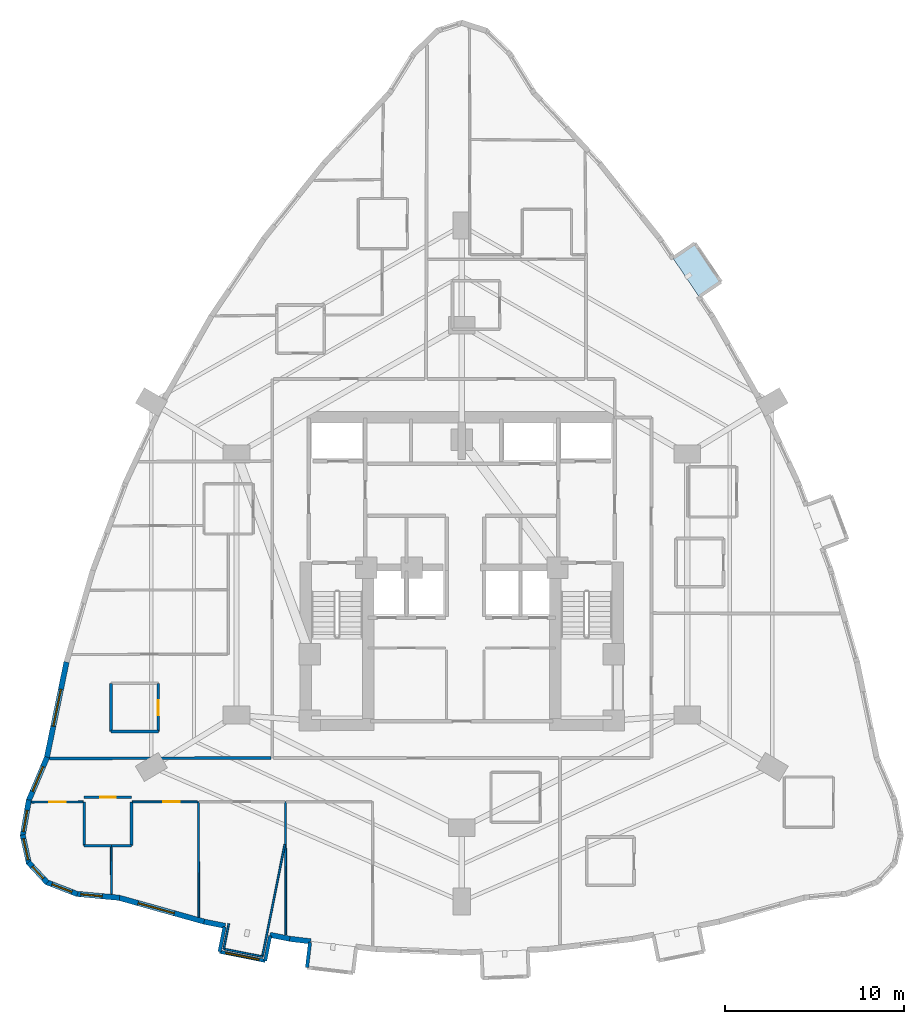
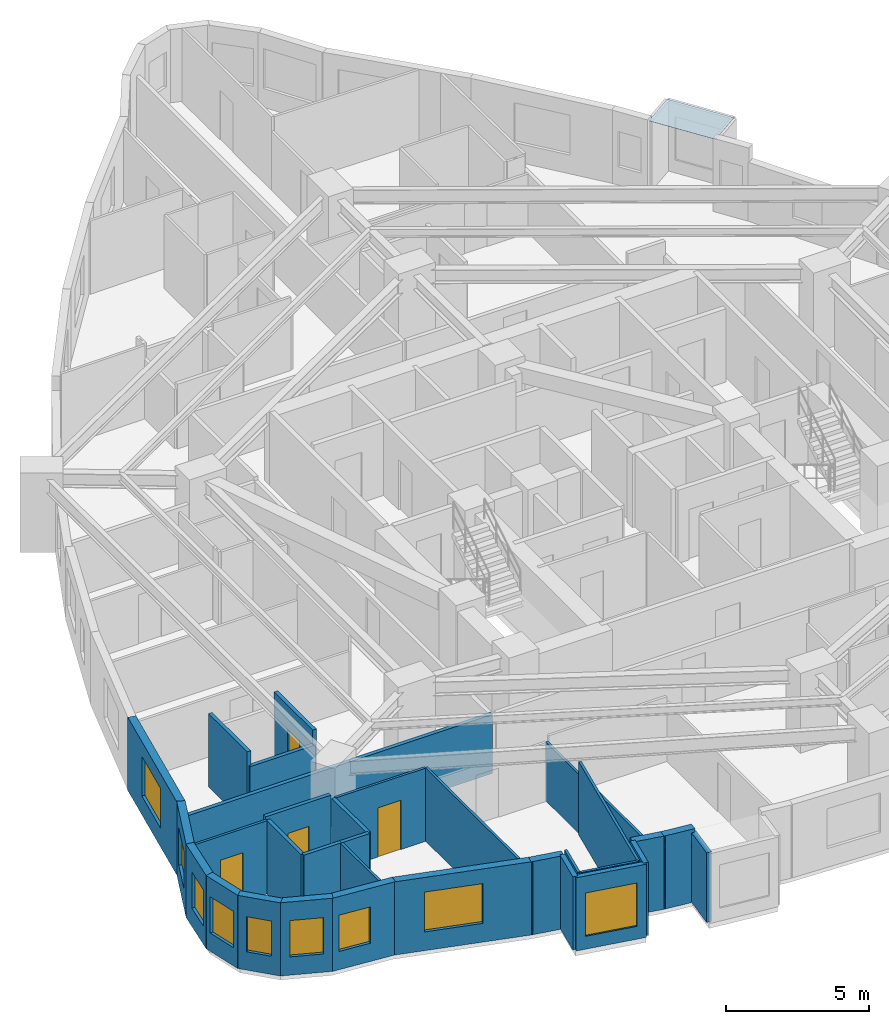
# One storey, part 5 of 12: 32 walls, 9 windows, 4 doors, 1 plate, 13 openings.
"""IFC4 building model written with IfcOpenShell, lengths in metres."""

from ifc_helpers import new_model, si_unit, direction, frame, frame_2d, origin, place, context, subcontext, project, spatial, polyline, rectangle, outline, extrude, material, layer, layer_set, type_object, element, fill, save


model = new_model("IFC4")

# Units and contexts
model_context = context("Model", 3, precision=1e-05, world=origin(), true_north=direction((0.0, 1.0)))
body_context = subcontext(model_context, "Body", "Model", "MODEL_VIEW")
ifc_project = project(units=[si_unit("LENGTHUNIT", "METRE"), si_unit("AREAUNIT", "SQUARE_METRE"), si_unit("VOLUMEUNIT", "CUBIC_METRE"), si_unit("PLANEANGLEUNIT", "RADIAN"), si_unit("MASSUNIT", "GRAM", prefix="KILO")], contexts=[model_context])

# Site, building, storey
site_placement = place(None, origin())
site = spatial("IfcSite", under=ifc_project, at=site_placement, CompositionType="ELEMENT")
building_placement = place(site_placement, origin())
building = spatial("IfcBuilding", under=site, at=building_placement, Name="Miruveldt Soraemaru", CompositionType="ELEMENT")
storey_placement = place(building_placement, frame((0.0, 0.0, 56.39990234375)))
storey = spatial("IfcBuildingStorey", under=building, at=storey_placement, Name="L15", CompositionType="ELEMENT", Elevation=56.39990234375)

# Plate
ifc_material_1 = material(Name="Standing-seam titanium-zinc sheet", Category="aluminium")
ifc_layer_1 = layer(ifc_material_1, 0.011962890625, Name="Standing-seam titanium-zinc sheet", Category="aluminium")
ifc_layer_set_1 = layer_set([ifc_layer_1], Name="Standing-seam titanium-zinc sheet")
plate_type = type_object("IfcPlateType", Name="PLT-ZINC-12", PredefinedType="SHEET", material=ifc_layer_set_1)
plate_placement = place(storey_placement, frame((0.0, 0.0, 2.97509765625)))
element("IfcPlate", 1, at=plate_placement, inside=storey, type_object=plate_type, Name="L15 Bay Window Zinc Hood Sheet 5", PredefinedType="SHEET", context=body_context, shape_type="SweptSolid", body=[
    extrude(outline(polyline([(57.26416015625, 59.194580078125), (55.805908203125, 61.34716796875), (57.03125, 62.17724609375), (58.489501953125, 60.0244140625), (57.26416015625, 59.194580078125)])), origin(), (0.0, 0.0, 1.0), 0.011962890625),
])

# Walls
ifc_material_2 = material(Name="White powder-coated aluminium EN AW-6060 T6", Category="aluminium")
ifc_layer_2 = layer(ifc_material_2, 0.18994140625, Name="White powder-coated aluminium EN AW-6060 T6", Category="aluminium")
ifc_layer_set_2 = layer_set([ifc_layer_2], Name="White powder-coated aluminium EN AW-6060 T6")
wall_type_1 = type_object("IfcWallType", Name="WALL-BAY-ALU190", PredefinedType="SOLIDWALL", material=ifc_layer_set_2)
for number, where, z_axis, x_axis, name in (
    (2, (30.736572265625, 23.96728515625, 0.0), (0.0, 0.0, 1.0), (-0.196182033934, -0.980567493629, 0.0), "L15 Bay Window Side Cheek 6L"),
    (3, (33.006591796875, 22.060302734375, 0.0), (0.0, 0.0, 1.0), (0.196182033934, 0.980567493629, 0.0), "L15 Bay Window Side Cheek 6R"),
):
    element("IfcWall", number, at=place(storey_placement, frame(where, z_axis=z_axis, x_axis=x_axis)), inside=storey, type_object=wall_type_1, Name=name, PredefinedType="SOLIDWALL", context=body_context, shape_type="SweptSolid", body=[
        extrude(rectangle(XDim=1.4248046875, YDim=0.18994140625, at=frame_2d((0.71240234375, 0.0))), origin(), (0.0, 0.0, 1.0), 3.125),
    ])

# Wall, opening, window
wall_1_placement = place(storey_placement, frame((30.45703125, 22.570068359375, 0.0), z_axis=(0.0, 0.0, 1.0), x_axis=(0.980591508741, -0.196061962104, 0.0)))
wall_1 = element("IfcWall", 4, at=wall_1_placement, inside=storey, type_object=wall_type_1, Name="L15 Bay Window Front Frame 6", PredefinedType="SOLIDWALL", context=body_context, shape_type="SweptSolid", body=[
    extrude(rectangle(XDim=2.60009765625, YDim=0.18994140625, at=frame_2d((1.300048828125, 0.0))), origin(), (0.0, 0.0, 1.0), 3.125),
])
opening_1_placement = place(wall_1_placement, frame((0.35009765625, 0.0, 0.550048828125)))
opening_1 = element("IfcOpeningElement", 5, at=opening_1_placement, cuts=wall_1, Name="Opening WN-6", PredefinedType="OPENING", context=body_context, shape_type="SweptSolid", body=[
    extrude(rectangle(XDim=1.89990234375, YDim=1.85009765625, at=frame_2d((0.949951171875, 0.925048828125))), frame((0.0, 0.10498046875, 0.0), z_axis=(0.0, -1.0, 0.0), x_axis=(1.0, 0.0, 0.0)), (0.0, 0.0, 1.0), 0.2099609375),
])
ifc_material_3 = material(Name="Triple low-e insulated glazing", Category="glass")
window_type_1 = type_object("IfcWindowType", Name="WIN-BAYW-1900x1850", PartitioningType="SINGLE_PANEL", PredefinedType="WINDOW", material=ifc_material_3)
window_1_placement = place(opening_1_placement, origin())
window_1 = element("IfcWindow", 6, at=window_1_placement, inside=storey, type_object=window_type_1, Name="L15 Projecting Bay Window 6", OverallHeight=1.85009765625, OverallWidth=1.89990234375, PartitioningType="SINGLE_PANEL", PredefinedType="WINDOW", context=body_context, shape_type="SweptSolid", body=[
    extrude(rectangle(XDim=1.89990234375, YDim=1.85009765625, at=frame_2d((0.949951171875, 0.925048828125))), frame((0.0, 0.030029296875, 0.0), z_axis=(0.0, -1.0, 0.0), x_axis=(1.0, 0.0, 0.0)), (0.0, 0.0, 1.0), 0.06005859375),
])
fill(opening_1, window_1)

# Wall
wall_2_placement = place(storey_placement, frame((35.515869140625, 23.10009765625, 0.0), z_axis=(0.0, 0.0, 1.0), x_axis=(-0.119077659317, -0.992884943511, 0.0)))
element("IfcWall", 7, at=wall_2_placement, inside=storey, type_object=wall_type_1, Name="L15 Bay Window Side Cheek 1L", PredefinedType="SOLIDWALL", context=body_context, shape_type="SweptSolid", body=[
    extrude(rectangle(XDim=1.425048828125, YDim=0.18994140625, at=frame_2d((0.71240234375, 0.0))), origin(), (0.0, 0.0, 1.0), 2.97509765625),
])

# Wall, opening, window
ifc_material_4 = material(Name="Precast concrete C45/55 (45 MPa)", Category="concrete")
ifc_layer_3 = layer(ifc_material_4, 0.300048828125, Name="Precast concrete C45/55 (45 MPa)", Category="concrete")
ifc_layer_set_3 = layer_set([ifc_layer_3], Name="Precast concrete C45/55 (45 MPa)")
wall_type_2 = type_object("IfcWallType", Name="WALL-EXT-PC300", PredefinedType="SOLIDWALL", material=ifc_layer_set_3)
wall_3_placement = place(storey_placement, frame((21.900146484375, 38.77001953125, 0.0), z_axis=(0.0, 0.0, 1.0), x_axis=(-0.201594047338, -0.979469162392, 0.0)))
wall_3 = element("IfcWall", 8, at=wall_3_placement, inside=storey, type_object=wall_type_2, Name="L15 Precast Concrete Facade Wall 14", PredefinedType="SOLIDWALL", context=body_context, shape_type="SweptSolid", body=[
    extrude(rectangle(XDim=5.499267578125, YDim=0.300048828125, at=frame_2d((2.74951171875, 0.0))), origin(), (0.0, 0.0, 1.0), 3.125),
])
opening_2_placement = place(wall_3_placement, frame((1.56494140625, 0.0, 0.800048828125)))
opening_2 = element("IfcOpeningElement", 9, at=opening_2_placement, cuts=wall_3, Name="Opening WN-1", PredefinedType="OPENING", context=body_context, shape_type="SweptSolid", body=[
    extrude(rectangle(XDim=2.10009765625, YDim=1.699951171875, at=frame_2d((1.050048828125, 0.85009765625))), frame((0.0, 0.16015625, 0.0), z_axis=(0.0, -1.0, 0.0), x_axis=(1.0, 0.0, 0.0)), (0.0, 0.0, 1.0), 0.320068359375),
])
window_type_2 = type_object("IfcWindowType", Name="WIN-PUNCH-2100x1700", PartitioningType="SINGLE_PANEL", PredefinedType="WINDOW", material=ifc_material_3)
window_2_placement = place(opening_2_placement, origin())
window_2 = element("IfcWindow", 10, at=window_2_placement, inside=storey, type_object=window_type_2, Name="L15 Punched Triple-Glazed Window 14.1", OverallHeight=1.699951171875, OverallWidth=2.10009765625, PartitioningType="SINGLE_PANEL", PredefinedType="WINDOW", context=body_context, shape_type="SweptSolid", body=[
    extrude(rectangle(XDim=2.10009765625, YDim=1.699951171875, at=frame_2d((1.050048828125, 0.85009765625))), frame((0.0, 0.030029296875, 0.0), z_axis=(0.0, -1.0, 0.0), x_axis=(1.0, 0.0, 0.0)), (0.0, 0.0, 1.0), 0.06005859375),
])
fill(opening_2, window_2)

wall_4_placement = place(storey_placement, frame((20.812255859375, 33.449951171875, 0.0), z_axis=(0.0, 0.0, 1.0), x_axis=(-0.388642214342, -0.921388750328, 0.0)))
wall_4 = element("IfcWall", 11, at=wall_4_placement, inside=storey, type_object=wall_type_2, Name="L15 Precast Concrete Facade Wall 15", PredefinedType="SOLIDWALL", context=body_context, shape_type="SweptSolid", body=[
    extrude(rectangle(XDim=2.666748046875, YDim=0.300048828125, at=frame_2d((1.33349609375, 0.0))), origin(), (0.0, 0.0, 1.0), 3.125),
])
opening_3_placement = place(wall_4_placement, frame((0.5810546875, 0.0, 0.800048828125)))
opening_3 = element("IfcOpeningElement", 12, at=opening_3_placement, cuts=wall_4, Name="Opening WN-3", PredefinedType="OPENING", context=body_context, shape_type="SweptSolid", body=[
    extrude(rectangle(XDim=1.5, YDim=1.60009765625, at=frame_2d((0.75, 0.800048828125))), frame((0.0, 0.16015625, 0.0), z_axis=(0.0, -1.0, 0.0), x_axis=(1.0, 0.0, 0.0)), (0.0, 0.0, 1.0), 0.320068359375),
])
window_type_3 = type_object("IfcWindowType", Name="WIN-PUNCH-1500x1600", PartitioningType="SINGLE_PANEL", PredefinedType="WINDOW", material=ifc_material_3)
window_3_placement = place(opening_3_placement, origin())
window_3 = element("IfcWindow", 13, at=window_3_placement, inside=storey, type_object=window_type_3, Name="L15 Punched Triple-Glazed Window 15.1", OverallHeight=1.60009765625, OverallWidth=1.5, PartitioningType="SINGLE_PANEL", PredefinedType="WINDOW", context=body_context, shape_type="SweptSolid", body=[
    extrude(rectangle(XDim=1.5, YDim=1.60009765625, at=frame_2d((0.75, 0.800048828125))), frame((0.0, 0.030029296875, 0.0), z_axis=(0.0, -1.0, 0.0), x_axis=(1.0, 0.0, 0.0)), (0.0, 0.0, 1.0), 0.06005859375),
])
fill(opening_3, window_3)

wall_5_placement = place(storey_placement, frame((19.79541015625, 31.0595703125, 0.0), z_axis=(0.0, 0.0, 1.0), x_axis=(-0.169306525701, -0.98556344309, 0.0)))
wall_5 = element("IfcWall", 14, at=wall_5_placement, inside=storey, type_object=wall_type_2, Name="L15 Precast Concrete Facade Wall 16", PredefinedType="SOLIDWALL", context=body_context, shape_type="SweptSolid", body=[
    extrude(rectangle(XDim=2.056396484375, YDim=0.300048828125, at=frame_2d((1.0283203125, 0.0))), origin(), (0.0, 0.0, 1.0), 3.125),
])
opening_4_placement = place(wall_5_placement, frame((0.595947265625, 0.0, 0.780029296875)))
opening_4 = element("IfcOpeningElement", 15, at=opening_4_placement, cuts=wall_5, Name="Opening WN-4", PredefinedType="OPENING", context=body_context, shape_type="SweptSolid", body=[
    extrude(rectangle(XDim=1.199951171875, YDim=1.550048828125, at=frame_2d((0.60009765625, 0.77490234375))), frame((0.0, 0.16015625, 0.0), z_axis=(0.0, -1.0, 0.0), x_axis=(1.0, 0.0, 0.0)), (0.0, 0.0, 1.0), 0.320068359375),
])
window_type_4 = type_object("IfcWindowType", Name="WIN-PUNCH-1200x1550", PartitioningType="SINGLE_PANEL", PredefinedType="WINDOW", material=ifc_material_3)
window_4_placement = place(opening_4_placement, origin())
window_4 = element("IfcWindow", 16, at=window_4_placement, inside=storey, type_object=window_type_4, Name="L15 Punched Triple-Glazed Window 16.1", OverallHeight=1.550048828125, OverallWidth=1.199951171875, PartitioningType="SINGLE_PANEL", PredefinedType="WINDOW", context=body_context, shape_type="SweptSolid", body=[
    extrude(rectangle(XDim=1.199951171875, YDim=1.550048828125, at=frame_2d((0.60009765625, 0.77490234375))), frame((0.0, 0.030029296875, 0.0), z_axis=(0.0, -1.0, 0.0), x_axis=(1.0, 0.0, 0.0)), (0.0, 0.0, 1.0), 0.06005859375),
])
fill(opening_4, window_4)

wall_6_placement = place(storey_placement, frame((19.445556640625, 29.1015625, 0.0), z_axis=(0.0, 0.0, 1.0), x_axis=(0.215756332669, -0.976447236113, 0.0)))
wall_6 = element("IfcWall", 17, at=wall_6_placement, inside=storey, type_object=wall_type_2, Name="L15 Precast Concrete Facade Wall 17", PredefinedType="SOLIDWALL", context=body_context, shape_type="SweptSolid", body=[
    extrude(rectangle(XDim=1.62939453125, YDim=0.300048828125, at=frame_2d((0.814697265625, 0.0))), origin(), (0.0, 0.0, 1.0), 3.125),
])
opening_5_placement = place(wall_6_placement, frame((0.215087890625, 0.0, 0.780029296875)))
opening_5 = element("IfcOpeningElement", 18, at=opening_5_placement, cuts=wall_6, Name="Opening WN-4", PredefinedType="OPENING", context=body_context, shape_type="SweptSolid", body=[
    extrude(rectangle(XDim=1.199951171875, YDim=1.550048828125, at=frame_2d((0.60009765625, 0.77490234375))), frame((0.0, 0.16015625, 0.0), z_axis=(0.0, -1.0, 0.0), x_axis=(1.0, 0.0, 0.0)), (0.0, 0.0, 1.0), 0.320068359375),
])
window_5_placement = place(opening_5_placement, origin())
window_5 = element("IfcWindow", 19, at=window_5_placement, inside=storey, type_object=window_type_4, Name="L15 Punched Triple-Glazed Window 17.1", OverallHeight=1.550048828125, OverallWidth=1.199951171875, PartitioningType="SINGLE_PANEL", PredefinedType="WINDOW", context=body_context, shape_type="SweptSolid", body=[
    extrude(rectangle(XDim=1.199951171875, YDim=1.550048828125, at=frame_2d((0.60009765625, 0.77490234375))), frame((0.0, 0.030029296875, 0.0), z_axis=(0.0, -1.0, 0.0), x_axis=(1.0, 0.0, 0.0)), (0.0, 0.0, 1.0), 0.06005859375),
])
fill(opening_5, window_5)

wall_7_placement = place(storey_placement, frame((19.765625, 27.5703125, 0.0), z_axis=(0.0, 0.0, 1.0), x_axis=(0.680216015018, -0.733011714035, 0.0)))
wall_7 = element("IfcWall", 20, at=wall_7_placement, inside=storey, type_object=wall_type_2, Name="L15 Precast Concrete Facade Wall 18", PredefinedType="SOLIDWALL", context=body_context, shape_type="SweptSolid", body=[
    extrude(rectangle(XDim=1.5537109375, YDim=0.300048828125, at=frame_2d((0.77685546875, 0.0))), origin(), (0.0, 0.0, 1.0), 3.125),
])
opening_6_placement = place(wall_7_placement, frame((0.326904296875, 0.0, 0.780029296875)))
opening_6 = element("IfcOpeningElement", 21, at=opening_6_placement, cuts=wall_7, Name="Opening WN-7", PredefinedType="OPENING", context=body_context, shape_type="SweptSolid", body=[
    extrude(rectangle(XDim=0.89990234375, YDim=1.5, at=frame_2d((0.449951171875, 0.75))), frame((0.0, 0.16015625, 0.0), z_axis=(0.0, -1.0, 0.0), x_axis=(1.0, 0.0, 0.0)), (0.0, 0.0, 1.0), 0.320068359375),
])
window_type_5 = type_object("IfcWindowType", Name="WIN-PUNCH-900x1500", PartitioningType="SINGLE_PANEL", PredefinedType="WINDOW", material=ifc_material_3)
window_6_placement = place(opening_6_placement, origin())
window_6 = element("IfcWindow", 22, at=window_6_placement, inside=storey, type_object=window_type_5, Name="L15 Punched Triple-Glazed Window 18.1", OverallHeight=1.5, OverallWidth=0.89990234375, PartitioningType="SINGLE_PANEL", PredefinedType="WINDOW", context=body_context, shape_type="SweptSolid", body=[
    extrude(rectangle(XDim=0.89990234375, YDim=1.5, at=frame_2d((0.449951171875, 0.75))), frame((0.0, 0.030029296875, 0.0), z_axis=(0.0, -1.0, 0.0), x_axis=(1.0, 0.0, 0.0)), (0.0, 0.0, 1.0), 0.06005859375),
])
fill(opening_6, window_6)

wall_8_placement = place(storey_placement, frame((20.76611328125, 26.4697265625, 0.0), z_axis=(0.0, 0.0, 1.0), x_axis=(0.932307524922, -0.36166653007, 0.0)))
wall_8 = element("IfcWall", 23, at=wall_8_placement, inside=storey, type_object=wall_type_2, Name="L15 Precast Concrete Facade Wall 19", PredefinedType="SOLIDWALL", context=body_context, shape_type="SweptSolid", body=[
    extrude(rectangle(XDim=1.8740234375, YDim=0.300048828125, at=frame_2d((0.93701171875, 0.0))), origin(), (0.0, 0.0, 1.0), 3.125),
])
opening_7_placement = place(wall_8_placement, frame((0.3369140625, 0.0, 0.780029296875)))
opening_7 = element("IfcOpeningElement", 24, at=opening_7_placement, cuts=wall_8, Name="Opening WN-4", PredefinedType="OPENING", context=body_context, shape_type="SweptSolid", body=[
    extrude(rectangle(XDim=1.199951171875, YDim=1.550048828125, at=frame_2d((0.60009765625, 0.77490234375))), frame((0.0, 0.16015625, 0.0), z_axis=(0.0, -1.0, 0.0), x_axis=(1.0, 0.0, 0.0)), (0.0, 0.0, 1.0), 0.320068359375),
])
window_7_placement = place(opening_7_placement, origin())
window_7 = element("IfcWindow", 25, at=window_7_placement, inside=storey, type_object=window_type_4, Name="L15 Punched Triple-Glazed Window 19.1", OverallHeight=1.550048828125, OverallWidth=1.199951171875, PartitioningType="SINGLE_PANEL", PredefinedType="WINDOW", context=body_context, shape_type="SweptSolid", body=[
    extrude(rectangle(XDim=1.199951171875, YDim=1.550048828125, at=frame_2d((0.60009765625, 0.77490234375))), frame((0.0, 0.030029296875, 0.0), z_axis=(0.0, -1.0, 0.0), x_axis=(1.0, 0.0, 0.0)), (0.0, 0.0, 1.0), 0.06005859375),
])
fill(opening_7, window_7)

wall_9_placement = place(storey_placement, frame((22.44580078125, 25.807861328125, 0.0), z_axis=(0.0, 0.0, 1.0), x_axis=(0.9957548109, -0.092045404935, 0.0)))
wall_9 = element("IfcWall", 26, at=wall_9_placement, inside=storey, type_object=wall_type_2, Name="L15 Precast Concrete Facade Wall 20", PredefinedType="SOLIDWALL", context=body_context, shape_type="SweptSolid", body=[
    extrude(rectangle(XDim=2.434814453125, YDim=0.300048828125, at=frame_2d((1.21728515625, 0.0))), origin(), (0.0, 0.0, 1.0), 3.125),
])
opening_8_placement = place(wall_9_placement, frame((0.259033203125, 0.0, 0.780029296875)))
opening_8 = element("IfcOpeningElement", 27, at=opening_8_placement, cuts=wall_9, Name="Opening WN-4", PredefinedType="OPENING", context=body_context, shape_type="SweptSolid", body=[
    extrude(rectangle(XDim=1.199951171875, YDim=1.550048828125, at=frame_2d((0.60009765625, 0.77490234375))), frame((0.0, 0.16015625, 0.0), z_axis=(0.0, -1.0, 0.0), x_axis=(1.0, 0.0, 0.0)), (0.0, 0.0, 1.0), 0.320068359375),
])
window_8_placement = place(opening_8_placement, origin())
window_8 = element("IfcWindow", 28, at=window_8_placement, inside=storey, type_object=window_type_4, Name="L15 Punched Triple-Glazed Window 20.1", OverallHeight=1.550048828125, OverallWidth=1.199951171875, PartitioningType="SINGLE_PANEL", PredefinedType="WINDOW", context=body_context, shape_type="SweptSolid", body=[
    extrude(rectangle(XDim=1.199951171875, YDim=1.550048828125, at=frame_2d((0.60009765625, 0.77490234375))), frame((0.0, 0.030029296875, 0.0), z_axis=(0.0, -1.0, 0.0), x_axis=(1.0, 0.0, 0.0)), (0.0, 0.0, 1.0), 0.06005859375),
])
fill(opening_8, window_8)

wall_10_placement = place(storey_placement, frame((24.8017578125, 25.596435546875, 0.0), z_axis=(0.0, 0.0, 1.0), x_axis=(0.962964019714, -0.26962992552, 0.0)))
wall_10 = element("IfcWall", 29, at=wall_10_placement, inside=storey, type_object=wall_type_2, Name="L15 Precast Concrete Facade Wall 21", PredefinedType="SOLIDWALL", context=body_context, shape_type="SweptSolid", body=[
    extrude(rectangle(XDim=5.045166015625, YDim=0.300048828125, at=frame_2d((2.5224609375, 0.0))), origin(), (0.0, 0.0, 1.0), 3.125),
])
opening_9_placement = place(wall_10_placement, frame((1.139892578125, 0.0, 0.800048828125)))
opening_9 = element("IfcOpeningElement", 30, at=opening_9_placement, cuts=wall_10, Name="Opening WN-1", PredefinedType="OPENING", context=body_context, shape_type="SweptSolid", body=[
    extrude(rectangle(XDim=2.10009765625, YDim=1.699951171875, at=frame_2d((1.050048828125, 0.85009765625))), frame((0.0, 0.16015625, 0.0), z_axis=(0.0, -1.0, 0.0), x_axis=(1.0, 0.0, 0.0)), (0.0, 0.0, 1.0), 0.320068359375),
])
window_9_placement = place(opening_9_placement, origin())
window_9 = element("IfcWindow", 31, at=window_9_placement, inside=storey, type_object=window_type_2, Name="L15 Punched Triple-Glazed Window 21.1", OverallHeight=1.699951171875, OverallWidth=2.10009765625, PartitioningType="SINGLE_PANEL", PredefinedType="WINDOW", context=body_context, shape_type="SweptSolid", body=[
    extrude(rectangle(XDim=2.10009765625, YDim=1.699951171875, at=frame_2d((1.050048828125, 0.85009765625))), frame((0.0, 0.030029296875, 0.0), z_axis=(0.0, -1.0, 0.0), x_axis=(1.0, 0.0, 0.0)), (0.0, 0.0, 1.0), 0.06005859375),
])
fill(opening_9, window_9)

# Walls
for number, where, z_axis, x_axis, name in (
    (32, (29.59228515625, 24.25244140625, 0.0), (0.0, 0.0, 1.0), (0.980549565903, -0.196271619974, 0.0), "L15 Precast Pier Wall 22A"),
    (33, (33.267578125, 23.517333984375, 0.0), (0.0, 0.0, 1.0), (0.980588449594, -0.196077261617, 0.0), "L15 Precast Pier Wall 22B"),
):
    element("IfcWall", number, at=place(storey_placement, frame(where, z_axis=z_axis, x_axis=x_axis)), inside=storey, type_object=wall_type_2, Name=name, PredefinedType="SOLIDWALL", context=body_context, shape_type="SweptSolid", body=[
        extrude(rectangle(XDim=1.207763671875, YDim=0.300048828125, at=frame_2d((0.60400390625, 0.0))), origin(), (0.0, 0.0, 1.0), 3.125),
    ])
wall_11_placement = place(storey_placement, frame((34.3828125, 23.29150390625, 0.0), z_axis=(0.0, 0.0, 1.0), x_axis=(0.992871933541, -0.119186088056, 0.0)))
element("IfcWall", 34, at=wall_11_placement, inside=storey, type_object=wall_type_2, Name="L15 Precast Pier Wall 23A", PredefinedType="SOLIDWALL", context=body_context, shape_type="SweptSolid", body=[
    extrude(rectangle(XDim=1.177734375, YDim=0.300048828125, at=frame_2d((0.5888671875, 0.0))), origin(), (0.0, 0.0, 1.0), 3.125),
])

# Wall, opening, door
ifc_material_5 = material(Name="Gypsum plasterboard lining", Category="gypsum")
ifc_layer_4 = layer(ifc_material_5, 0.10009765625, Name="Gypsum plasterboard lining", Category="gypsum")
ifc_layer_set_4 = layer_set([ifc_layer_4], Name="Gypsum plasterboard lining")
wall_type_3 = type_object("IfcWallType", Name="WALL-INT-P100", PredefinedType="PARTITIONING", material=ifc_layer_set_4)
wall_12_placement = place(storey_placement, frame((25.5830078125, 30.949951171875, 0.0), z_axis=(0.0, 0.0, 1.0), x_axis=(1.0, 0.0, 0.0)))
wall_12 = element("IfcWall", 35, at=wall_12_placement, inside=storey, type_object=wall_type_3, Name="L15 Partition Wall 77", PredefinedType="PARTITIONING", context=body_context, shape_type="SweptSolid", body=[
    extrude(rectangle(XDim=3.639892578125, YDim=0.10009765625, at=frame_2d((1.81982421875, 0.0))), origin(), (0.0, 0.0, 1.0), 3.125),
])
opening_10_placement = place(wall_12_placement, frame((1.719970703125, 0.0, 0.0)))
opening_10 = element("IfcOpeningElement", 36, at=opening_10_placement, cuts=wall_12, Name="Opening D3A", PredefinedType="OPENING", context=body_context, shape_type="SweptSolid", body=[
    extrude(rectangle(XDim=0.919921875, YDim=2.10009765625, at=frame_2d((0.4599609375, 1.050048828125))), frame((0.0, 0.06005859375, 0.0), z_axis=(0.0, -1.0, 0.0), x_axis=(1.0, 0.0, 0.0)), (0.0, 0.0, 1.0), 0.1201171875),
])
ifc_material_6 = material(Name="Anodised aluminium EN AW-6063 T6", Category="aluminium")
door_type_1 = type_object("IfcDoorType", Name="DOOR-INT-920", OperationType="NOTDEFINED", PredefinedType="DOOR", material=ifc_material_6)
door_1_placement = place(opening_10_placement, origin())
door_1 = element("IfcDoor", 37, at=door_1_placement, inside=storey, type_object=door_type_1, Name="L15 Unit 1506 BD2 Door", OperationType="SINGLE_SWING_LEFT", OverallHeight=2.10009765625, OverallWidth=0.919921875, PredefinedType="DOOR", context=body_context, shape_type="SweptSolid", body=[
    extrude(rectangle(XDim=0.919921875, YDim=2.10009765625, at=frame_2d((0.4599609375, 1.050048828125))), frame((0.0, 0.02490234375, 0.0), z_axis=(0.0, -1.0, 0.0), x_axis=(1.0, 0.0, 0.0)), (0.0, 0.0, 1.0), 0.050048828125),
])
fill(opening_10, door_1)

wall_13_placement = place(storey_placement, frame((19.94189453125, 30.93603515625, 0.0), z_axis=(0.0, 0.0, 1.0), x_axis=(0.999988415906, 0.00481332036, 0.0)))
wall_13 = element("IfcWall", 38, at=wall_13_placement, inside=storey, type_object=wall_type_3, Name="L15 Partition Wall 76", PredefinedType="PARTITIONING", context=body_context, shape_type="SweptSolid", body=[
    extrude(rectangle(XDim=2.89111328125, YDim=0.10009765625, at=frame_2d((1.445556640625, 0.0))), origin(), (0.0, 0.0, 1.0), 3.125),
])
opening_11_placement = place(wall_13_placement, frame((0.986083984375, 0.0, 0.0)))
opening_11 = element("IfcOpeningElement", 39, at=opening_11_placement, cuts=wall_13, Name="Opening D3A", PredefinedType="OPENING", context=body_context, shape_type="SweptSolid", body=[
    extrude(rectangle(XDim=0.919921875, YDim=2.10009765625, at=frame_2d((0.4599609375, 1.050048828125))), frame((0.0, 0.06005859375, 0.0), z_axis=(0.0, -1.0, 0.0), x_axis=(1.0, 0.0, 0.0)), (0.0, 0.0, 1.0), 0.1201171875),
])
door_2_placement = place(opening_11_placement, origin())
door_2 = element("IfcDoor", 40, at=door_2_placement, inside=storey, type_object=door_type_1, Name="L15 Unit 1506 BD1 Door", OperationType="SINGLE_SWING_RIGHT", OverallHeight=2.10009765625, OverallWidth=0.919921875, PredefinedType="DOOR", context=body_context, shape_type="SweptSolid", body=[
    extrude(rectangle(XDim=0.919921875, YDim=2.10009765625, at=frame_2d((0.4599609375, 1.050048828125))), frame((0.0, 0.02490234375, 0.0), z_axis=(0.0, -1.0, 0.0), x_axis=(1.0, 0.0, 0.0)), (0.0, 0.0, 1.0), 0.050048828125),
])
fill(opening_11, door_2)

# Walls
wall_14_placement = place(storey_placement, frame((34.159912109375, 23.507080078125, 0.0), z_axis=(0.0, 0.0, 1.0), x_axis=(-0.002263328192, 0.999997438669, 0.0)))
element("IfcWall", 41, at=wall_14_placement, inside=storey, type_object=wall_type_3, Name="L15 Partition Wall 88", PredefinedType="PARTITIONING", context=body_context, shape_type="SweptSolid", body=[
    extrude(rectangle(XDim=7.44287109375, YDim=0.10009765625, at=frame_2d((3.721435546875, 0.0))), origin(), (0.0, 0.0, 1.0), 2.51318359375),
])
wall_15_placement = place(storey_placement, frame((29.2958984375, 24.509033203125, 0.0), z_axis=(0.0, 0.0, 1.0), x_axis=(-0.003563012786, 0.99999365245, 0.0)))
element("IfcWall", 42, at=wall_15_placement, inside=storey, type_object=wall_type_3, Name="L15 Partition Wall 87", PredefinedType="PARTITIONING", context=body_context, shape_type="SweptSolid", body=[
    extrude(rectangle(XDim=6.44091796875, YDim=0.10009765625, at=frame_2d((3.220458984375, 0.0))), origin(), (0.0, 0.0, 1.0), 3.125),
])
wall_16_placement = place(storey_placement, frame((34.101318359375, 28.56201171875, 0.0), z_axis=(0.0, 0.0, 1.0), x_axis=(-0.195814872233, -0.980640880145, 0.0)))
element("IfcWall", 43, at=wall_16_placement, inside=storey, type_object=wall_type_3, Name="L15 Partition Wall 98", PredefinedType="PARTITIONING", context=body_context, shape_type="SweptSolid", body=[
    extrude(rectangle(XDim=6.389892578125, YDim=0.10009765625, at=frame_2d((3.19482421875, 0.0))), origin(), (0.0, 0.0, 1.0), 3.125),
])
wall_17_placement = place(storey_placement, frame((24.412109375, 25.7919921875, 0.0), z_axis=(0.0, 0.0, 1.0), x_axis=(-0.002971888893, 0.999995583928, 0.0)))
element("IfcWall", 44, at=wall_17_placement, inside=storey, type_object=wall_type_3, Name="L15 Partition Wall 86", PredefinedType="PARTITIONING", context=body_context, shape_type="SweptSolid", body=[
    extrude(rectangle(XDim=2.7109375, YDim=0.10009765625, at=frame_2d((1.35546875, 0.0))), origin(), (0.0, 0.0, 1.0), 3.125),
])
wall_18_placement = place(storey_placement, frame((32.85009765625, 22.2958984375, 0.0), z_axis=(0.0, 0.0, 1.0), x_axis=(-0.980623317963, 0.195902803113, 0.0)))
element("IfcWall", 45, at=wall_18_placement, inside=storey, type_object=wall_type_3, Name="L15 Partition Wall 99", PredefinedType="PARTITIONING", context=body_context, shape_type="SweptSolid", body=[
    extrude(rectangle(XDim=2.200927734375, YDim=0.10009765625, at=frame_2d((1.1005859375, 0.0))), origin(), (0.0, 0.0, 1.0), 3.125),
])
wall_19_placement = place(storey_placement, frame((30.69189453125, 22.72705078125, 0.0), z_axis=(0.0, 0.0, 1.0), x_axis=(0.196635895837, 0.980476580275, 0.0)))
element("IfcWall", 46, at=wall_19_placement, inside=storey, type_object=wall_type_3, Name="L15 Partition Wall 100", PredefinedType="PARTITIONING", context=body_context, shape_type="SweptSolid", body=[
    extrude(rectangle(XDim=1.4453125, YDim=0.10009765625, at=frame_2d((0.72265625, 0.0))), origin(), (0.0, 0.0, 1.0), 3.125),
])

# Wall, opening, door
ifc_layer_5 = layer(ifc_material_5, 0.14990234375, Name="Gypsum plasterboard lining", Category="gypsum")
ifc_layer_set_5 = layer_set([ifc_layer_5], Name="Gypsum plasterboard lining")
wall_type_4 = type_object("IfcWallType", Name="WALL-INT-PLUMB", PredefinedType="PLUMBINGWALL", material=ifc_layer_set_5)
wall_20_placement = place(storey_placement, frame((27.034912109375, 34.8798828125, 0.0), z_axis=(0.0, 0.0, 1.0), x_axis=(0.0, 1.0, 0.0)))
wall_20 = element("IfcWall", 47, at=wall_20_placement, inside=storey, type_object=wall_type_4, Name="L15 Partition Wall 46", PredefinedType="PLUMBINGWALL", context=body_context, shape_type="SweptSolid", body=[
    extrude(rectangle(XDim=2.7001953125, YDim=0.14990234375, at=frame_2d((1.35009765625, 0.0))), origin(), (0.0, 0.0, 1.0), 3.125),
])
opening_12_placement = place(wall_20_placement, frame((0.909912109375, 0.0, 0.0)))
opening_12 = element("IfcOpeningElement", 48, at=opening_12_placement, cuts=wall_20, Name="Opening FD3", PredefinedType="OPENING", context=body_context, shape_type="SweptSolid", body=[
    extrude(rectangle(XDim=0.85009765625, YDim=2.10009765625, at=frame_2d((0.425048828125, 1.050048828125))), frame((0.0, 0.0849609375, 0.0), z_axis=(0.0, -1.0, 0.0), x_axis=(1.0, 0.0, 0.0)), (0.0, 0.0, 1.0), 0.169921875),
])
door_type_2 = type_object("IfcDoorType", Name="DOOR-FD3-850", OperationType="NOTDEFINED", PredefinedType="DOOR", material=ifc_material_6)
door_3_placement = place(opening_12_placement, origin())
door_3 = element("IfcDoor", 49, at=door_3_placement, inside=storey, type_object=door_type_2, Name="L15 Unit 1504 BTH Door", OperationType="SINGLE_SWING_RIGHT", OverallHeight=2.10009765625, OverallWidth=0.85009765625, PredefinedType="DOOR", context=body_context, shape_type="SweptSolid", body=[
    extrude(rectangle(XDim=0.85009765625, YDim=2.10009765625, at=frame_2d((0.425048828125, 1.050048828125))), frame((0.0, 0.02490234375, 0.0), z_axis=(0.0, -1.0, 0.0), x_axis=(1.0, 0.0, 0.0)), (0.0, 0.0, 1.0), 0.050048828125),
])
fill(opening_12, door_3)

wall_21_placement = place(storey_placement, frame((25.532958984375, 31.202880859375, 0.0), z_axis=(0.0, 0.0, 1.0), x_axis=(-1.0, 0.0, 0.0)))
wall_21 = element("IfcWall", 50, at=wall_21_placement, inside=storey, type_object=wall_type_4, Name="L15 Partition Wall 71", PredefinedType="PLUMBINGWALL", context=body_context, shape_type="SweptSolid", body=[
    extrude(rectangle(XDim=2.64990234375, YDim=0.14990234375, at=frame_2d((1.324951171875, 0.0))), origin(), (0.0, 0.0, 1.0), 3.125),
])
opening_13_placement = place(wall_21_placement, frame((0.885009765625, 0.0, 0.0)))
opening_13 = element("IfcOpeningElement", 51, at=opening_13_placement, cuts=wall_21, Name="Opening FD3", PredefinedType="OPENING", context=body_context, shape_type="SweptSolid", body=[
    extrude(rectangle(XDim=0.85009765625, YDim=2.10009765625, at=frame_2d((0.425048828125, 1.050048828125))), frame((0.0, 0.0849609375, 0.0), z_axis=(0.0, -1.0, 0.0), x_axis=(1.0, 0.0, 0.0)), (0.0, 0.0, 1.0), 0.169921875),
])
door_4_placement = place(opening_13_placement, origin())
door_4 = element("IfcDoor", 52, at=door_4_placement, inside=storey, type_object=door_type_2, Name="L15 Unit 1506 BTH Door", OperationType="SINGLE_SWING_RIGHT", OverallHeight=2.10009765625, OverallWidth=0.85009765625, PredefinedType="DOOR", context=body_context, shape_type="SweptSolid", body=[
    extrude(rectangle(XDim=0.85009765625, YDim=2.10009765625, at=frame_2d((0.425048828125, 1.050048828125))), frame((0.0, 0.02490234375, 0.0), z_axis=(0.0, -1.0, 0.0), x_axis=(1.0, 0.0, 0.0)), (0.0, 0.0, 1.0), 0.050048828125),
])
fill(opening_13, door_4)

# Walls
wall_22_placement = place(storey_placement, frame((24.385009765625, 37.580078125, 0.0), z_axis=(0.0, 0.0, 1.0), x_axis=(0.0, -1.0, 0.0)))
element("IfcWall", 53, at=wall_22_placement, inside=storey, type_object=wall_type_4, Name="L15 Partition Wall 48", PredefinedType="PLUMBINGWALL", context=body_context, shape_type="SweptSolid", body=[
    extrude(rectangle(XDim=2.7001953125, YDim=0.14990234375, at=frame_2d((1.35009765625, 0.0))), origin(), (0.0, 0.0, 1.0), 3.125),
])
wall_23_placement = place(storey_placement, frame((24.385009765625, 34.8798828125, 0.0), z_axis=(0.0, 0.0, 1.0), x_axis=(1.0, 0.0, 0.0)))
element("IfcWall", 54, at=wall_23_placement, inside=storey, type_object=wall_type_4, Name="L15 Partition Wall 49", PredefinedType="PLUMBINGWALL", context=body_context, shape_type="SweptSolid", body=[
    extrude(rectangle(XDim=2.64990234375, YDim=0.14990234375, at=frame_2d((1.324951171875, 0.0))), origin(), (0.0, 0.0, 1.0), 2.51318359375),
])
for number, where, z_axis, x_axis, name in (
    (55, (22.883056640625, 30.949951171875, 0.0), (0.0, 0.0, 1.0), (0.0, -1.0, 0.0), "L15 Partition Wall 82"),
    (56, (25.532958984375, 28.5029296875, 0.0), (0.0, 0.0, 1.0), (0.0, 1.0, 0.0), "L15 Partition Wall 85"),
):
    element("IfcWall", number, at=place(storey_placement, frame(where, z_axis=z_axis, x_axis=x_axis)), inside=storey, type_object=wall_type_4, Name=name, PredefinedType="PLUMBINGWALL", context=body_context, shape_type="SweptSolid", body=[
        extrude(rectangle(XDim=2.447021484375, YDim=0.14990234375, at=frame_2d((1.2236328125, 0.0))), origin(), (0.0, 0.0, 1.0), 3.125),
    ])
wall_24_placement = place(storey_placement, frame((22.883056640625, 28.5029296875, 0.0), z_axis=(0.0, 0.0, 1.0), x_axis=(1.0, 0.0, 0.0)))
element("IfcWall", 57, at=wall_24_placement, inside=storey, type_object=wall_type_4, Name="L15 Partition Wall 83", PredefinedType="PLUMBINGWALL", context=body_context, shape_type="SweptSolid", body=[
    extrude(rectangle(XDim=1.52099609375, YDim=0.14990234375, at=frame_2d((0.760498046875, 0.0))), origin(), (0.0, 0.0, 1.0), 3.125),
])
wall_25_placement = place(storey_placement, frame((24.404052734375, 28.5029296875, 0.0), z_axis=(0.0, 0.0, 1.0), x_axis=(1.0, 0.0, 0.0)))
element("IfcWall", 58, at=wall_25_placement, inside=storey, type_object=wall_type_4, Name="L15 Partition Wall 84", PredefinedType="PLUMBINGWALL", context=body_context, shape_type="SweptSolid", body=[
    extrude(rectangle(XDim=1.12890625, YDim=0.14990234375, at=frame_2d((0.564453125, 0.0))), origin(), (0.0, 0.0, 1.0), 3.125),
])
ifc_material_7 = material(Name="Concrete C40/50 (40 MPa)", Category="concrete")
ifc_layer_6 = layer(ifc_material_7, 0.159912109375, Name="Concrete C40/50 (40 MPa)", Category="concrete")
ifc_layer_set_6 = layer_set([ifc_layer_6], Name="Concrete C40/50 (40 MPa)")
wall_type_5 = type_object("IfcWallType", Name="WALL-INT-RC160", PredefinedType="SOLIDWALL", material=ifc_layer_set_6)
wall_26_placement = place(storey_placement, frame((20.958984375, 33.37890625, 0.0), z_axis=(0.0, 0.0, 1.0), x_axis=(0.999998557443, 0.001698561671, 0.0)))
element("IfcWall", 59, at=wall_26_placement, inside=storey, type_object=wall_type_5, Name="L15 Partition Wall 58", PredefinedType="SOLIDWALL", context=body_context, shape_type="SweptSolid", body=[
    extrude(rectangle(XDim=12.361083984375, YDim=0.159912109375, at=frame_2d((6.1806640625, 0.0))), origin(), (0.0, 0.0, 1.0), 2.51318359375),
])

save(model, "model.ifc")
